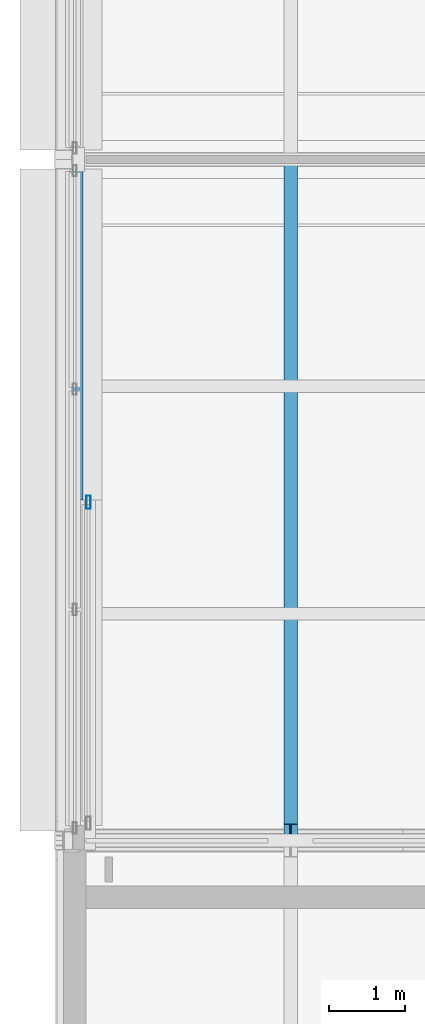
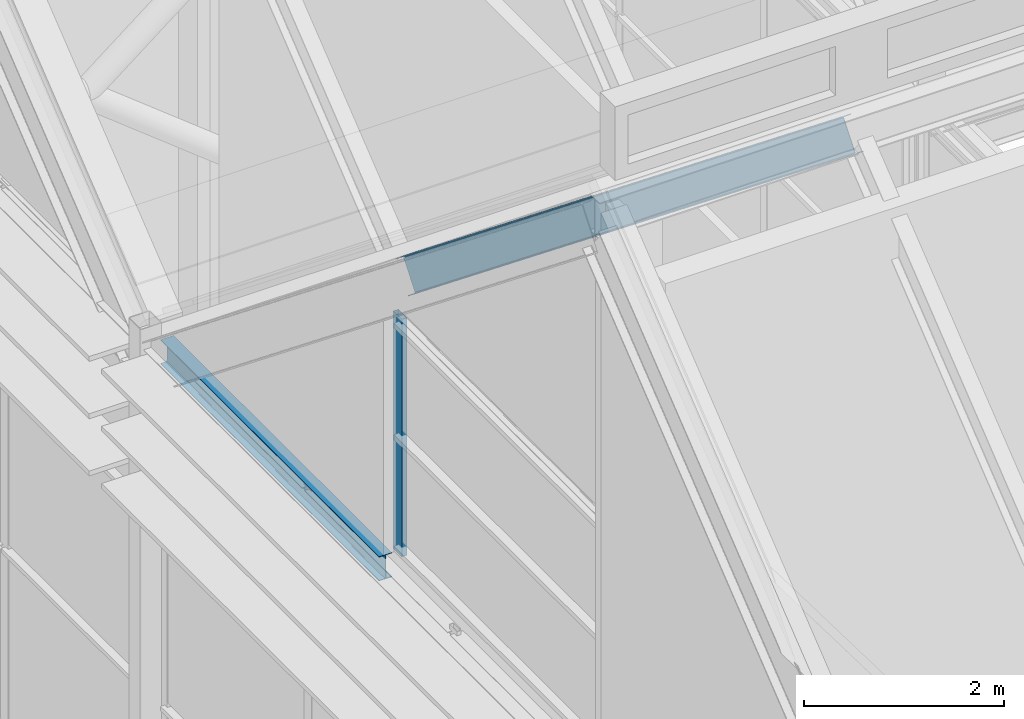
# One storey, part 16 of 144: 2 members, 1 beam, 1 element without a shape of its own.
"""IFC4 building model written with IfcOpenShell, lengths in metres."""

from ifc_helpers import new_model, si_unit, direction, frame, origin, origin_2d, place, context, subcontext, project, spatial, hollow_rectangle, i_section, extrude, material, layer, layer_set, material_profile, profile_set, type_object, element, aggregate, save


model = new_model("IFC4")

# Units and contexts
model_context = context("Model", 3, precision=1e-05, world=origin(), true_north=direction((0.0, 1.0)))
body_context = subcontext(model_context, "Body", "Model", "MODEL_VIEW")
ifc_project = project(units=[si_unit("LENGTHUNIT", "METRE"), si_unit("AREAUNIT", "SQUARE_METRE"), si_unit("VOLUMEUNIT", "CUBIC_METRE"), si_unit("PLANEANGLEUNIT", "RADIAN"), si_unit("MASSUNIT", "GRAM", prefix="KILO")], contexts=[model_context])

# Site, building, storey
site_placement = place(None, origin())
site = spatial("IfcSite", under=ifc_project, at=site_placement, CompositionType="ELEMENT")
building_placement = place(site_placement, origin())
building = spatial("IfcBuilding", under=site, at=building_placement, Name="Shorebreak Coast Museum", CompositionType="ELEMENT")
storey_placement = place(building_placement, frame((0.0, 0.0, 36.0)))
storey = spatial("IfcBuildingStorey", under=building, at=storey_placement, Name="L06", CompositionType="ELEMENT", Elevation=36.0)

# Member
ifc_material_1 = material(Name="Steel Grade 300", Category="steel")
ifc_material_profile_1 = material_profile(ifc_material_1, i_section(OverallWidth=0.177978515625, OverallDepth=0.402587890625, WebThickness=0.007568359375, FlangeThickness=0.010986328125, FilletRadius=0.011474609375, at=origin_2d()), Name="410UB53.7")
ifc_profile_set_1 = profile_set([ifc_material_profile_1], Name="Steel Grade 300")
member_type_1 = type_object("IfcMemberType", Name="Fold rafter 410UB53.7", PredefinedType="RAFTER", material=ifc_profile_set_1)
member_1_placement = place(storey_placement, frame((57.0, 63.094970703125, 14.610107421875), z_axis=(0.0, 0.780866698312, -0.624697686459), x_axis=(-1.0, 0.0, 0.0)))
element("IfcMember", 1, at=member_1_placement, inside=storey, type_object=member_type_1, Name="Fold rafter FOLD-X line 2 02", PredefinedType="RAFTER", context=body_context, shape_type="SweptSolid", body=[
    extrude(i_section(OverallWidth=0.177978515625, OverallDepth=0.402587890625, WebThickness=0.007568359375, FlangeThickness=0.010986328125, FilletRadius=0.011474609375, at=origin_2d()), origin(), (0.0, 0.0, 1.0), 11.282470703125),
])

# Beam
ifc_material_2 = material(Name="Steel Grade 300", Category="steel")
ifc_material_profile_2 = material_profile(ifc_material_2, i_section(OverallWidth=0.14892578125, OverallDepth=0.298095703125, WebThickness=0.005615234375, FlangeThickness=0.008056640625, FilletRadius=0.012939453125, at=origin_2d()), Name="310UB32.0")
ifc_profile_set_2 = profile_set([ifc_material_profile_2], Name="Steel Grade 300")
beam_type = type_object("IfcBeamType", Name="Gable base beam 310UB32.0", PredefinedType="BEAM", material=ifc_profile_set_2)
beam_placement = place(storey_placement, frame((54.179931640625, 67.5, 7.65087890625), z_axis=(0.0, 1.0, 0.0), x_axis=(-1.0, 0.0, 0.0)))
element("IfcBeam", 2, at=beam_placement, inside=storey, type_object=beam_type, Name="Gable base beam FOLD-X x 54 part 1", PredefinedType="BEAM", context=body_context, shape_type="SweptSolid", body=[
    extrude(i_section(OverallWidth=0.14892578125, OverallDepth=0.298095703125, WebThickness=0.005615234375, FlangeThickness=0.008056640625, FilletRadius=0.012939453125, at=origin_2d()), origin(), (0.0, 0.0, 1.0), 4.375),
])

# Curtain wall, member
ifc_material_3 = material(Name="Aluminium", Category="aluminium")
ifc_layer = layer(ifc_material_3, 0.175048828125)
ifc_layer_set = layer_set([ifc_layer], Name="Aluminium")
curtain_wall_type = type_object("IfcCurtainWallType", Name="Gable curtain wall", PredefinedType="NOTDEFINED", material=ifc_layer_set)
curtain_wall_placement = place(storey_placement, origin())
curtain_wall = element("IfcCurtainWall", 3, at=curtain_wall_placement, inside=storey, type_object=curtain_wall_type, Name="Gable glazing FOLD-X-54-1", PredefinedType="NOTDEFINED")
ifc_material_4 = material(Name="Aluminium", Category="aluminium")
ifc_material_profile_3 = material_profile(ifc_material_4, hollow_rectangle(XDim=0.06005859375, YDim=0.175048828125, WallThickness=0.00390625, at=origin_2d()), Name="AL 175x60 RHS")
ifc_profile_set_3 = profile_set([ifc_material_profile_3], Name="Aluminium")
member_type_2 = type_object("IfcMemberType", Name="Gable mullion 60 x 175", PredefinedType="MULLION", material=ifc_profile_set_3)
member_2_placement = place(storey_placement, frame((54.33056640625, 67.469970703125, 7.800048828125), z_axis=(0.0, 0.0, 1.0), x_axis=(-1.0, 0.0, 0.0)))
member_2 = element("IfcMember", 4, at=member_2_placement, type_object=member_type_2, Name="CW9 mullion 2", PredefinedType="MULLION", context=body_context, shape_type="SweptSolid", body=[
    extrude(hollow_rectangle(XDim=0.06005859375, YDim=0.175048828125, WallThickness=0.00390625, at=origin_2d()), origin(), (0.0, 0.0, 1.0), 2.90185546875),
])
aggregate(curtain_wall, [member_2])

save(model, "model.ifc")
